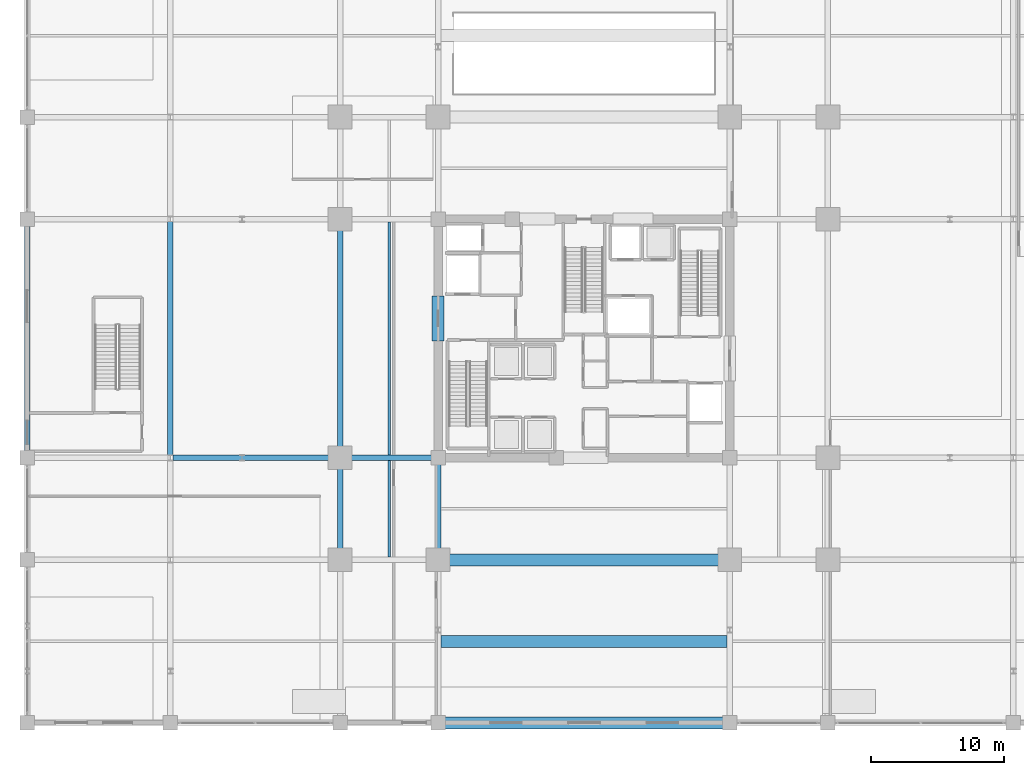
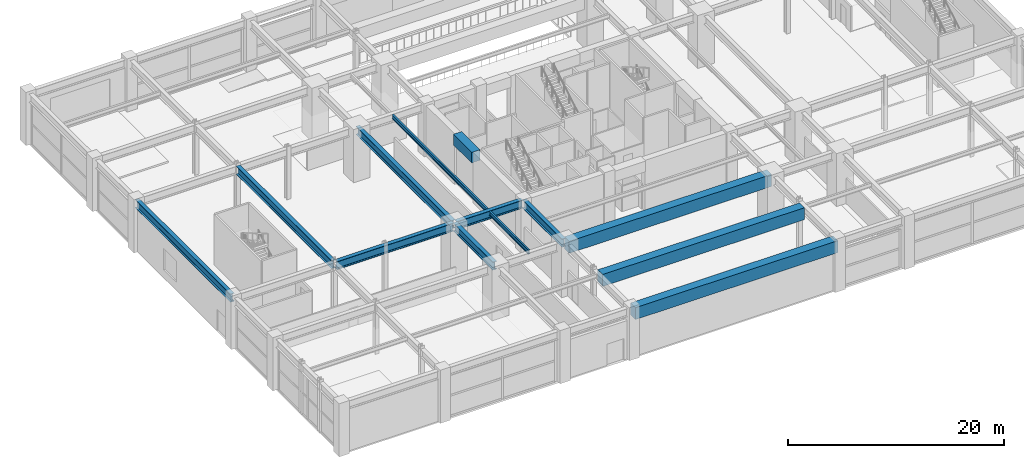
# One storey, part 10 of 41: 13 beams.
"""IFC4 building model written with IfcOpenShell, lengths in metres."""

from ifc_helpers import new_model, si_unit, direction, frame, origin, origin_2d, place, context, subcontext, project, spatial, rectangle, i_section, extrude, material, material_profile, profile_set, type_object, element, save


model = new_model("IFC4")

# Units and contexts
model_context = context("Model", 3, precision=1e-05, world=origin(), true_north=direction((0.0, 1.0)))
body_context = subcontext(model_context, "Body", "Model", "MODEL_VIEW")
ifc_project = project(units=[si_unit("LENGTHUNIT", "METRE"), si_unit("AREAUNIT", "SQUARE_METRE"), si_unit("VOLUMEUNIT", "CUBIC_METRE"), si_unit("PLANEANGLEUNIT", "RADIAN"), si_unit("MASSUNIT", "GRAM", prefix="KILO")], contexts=[model_context])

# Site, building, storey
site_placement = place(None, origin())
site = spatial("IfcSite", under=ifc_project, at=site_placement, CompositionType="ELEMENT")
building_placement = place(site_placement, origin())
building = spatial("IfcBuilding", under=site, at=building_placement, Name="Kovane Verandah Tower", CompositionType="ELEMENT")
storey_placement = place(building_placement, origin())
storey = spatial("IfcBuildingStorey", under=building, at=storey_placement, Name="L00", CompositionType="ELEMENT", Elevation=0.0)

# Beams
ifc_material_1 = material(Name="Concrete C80/95", Category="concrete")
ifc_material_profile_1 = material_profile(ifc_material_1, rectangle(XDim=0.89990234375, YDim=1.199951171875, at=origin_2d()), Name="RCB900x1200")
ifc_profile_set_1 = profile_set([ifc_material_profile_1], Name="Concrete C80/95")
beam_type_1 = type_object("IfcBeamType", Name="BM-LINTEL-900x1200", PredefinedType="LINTEL", material=ifc_profile_set_1)
beam_1_placement = place(storey_placement, frame((29.0, 27.300048828125, 5.1201171875), z_axis=(0.0, 1.0, 0.0), x_axis=(-1.0, 0.0, 0.0)))
element("IfcBeam", 1, at=beam_1_placement, inside=storey, type_object=beam_type_1, Name="L00 Core Coupling Lintel CL-W", PredefinedType="LINTEL", context=body_context, shape_type="SweptSolid", body=[
    extrude(rectangle(XDim=0.89990234375, YDim=1.199951171875, at=origin_2d()), origin(), (0.0, 0.0, 1.0), 3.39990234375),
])
ifc_material_profile_2 = material_profile(ifc_material_1, rectangle(XDim=0.89990234375, YDim=1.35009765625, at=origin_2d()), Name="RCB900x1350")
ifc_profile_set_2 = profile_set([ifc_material_profile_2], Name="Concrete C80/95")
beam_type_2 = type_object("IfcBeamType", Name="BM-TR-900x1350", PredefinedType="BEAM", material=ifc_profile_set_2)
for number, where, z_axis, x_axis, name in (
    (2, (29.179931640625, 10.800048828125, 5.044921875), (1.0, 0.0, 0.0), (0.0, 1.0, 0.0), "L00 Primary Tower Girder G-RS2"),
    (3, (29.179931640625, -1.5, 5.02490234375), (1.0, 0.0, 0.0), (0.0, 1.0, 0.0), "L00 Podium Grid Girder X04"),
):
    element("IfcBeam", number, at=place(storey_placement, frame(where, z_axis=z_axis, x_axis=x_axis)), inside=storey, type_object=beam_type_2, Name=name, PredefinedType="BEAM", context=body_context, shape_type="SweptSolid", body=[
        extrude(rectangle(XDim=0.89990234375, YDim=1.35009765625, at=origin_2d()), origin(), (0.0, 0.0, 1.0), 21.64013671875),
    ])
beam_2_placement = place(storey_placement, frame((29.208251953125, 4.64990234375, 5.02490234375), z_axis=(1.0, 0.0, 0.0), x_axis=(0.0, 1.0, 0.0)))
element("IfcBeam", 4, at=beam_2_placement, inside=storey, type_object=beam_type_2, Name="L00 Podium Secondary Joist 04", PredefinedType="BEAM", context=body_context, shape_type="SweptSolid", body=[
    extrude(rectangle(XDim=0.89990234375, YDim=1.35009765625, at=origin_2d()), origin(), (0.0, 0.0, 1.0), 21.58349609375),
])
ifc_material_2 = material(Name="Steel S460", Category="steel")
ifc_material_profile_3 = material_profile(ifc_material_2, i_section(OverallWidth=0.42041015625, OverallDepth=0.9208984375, WebThickness=0.021484375, FlangeThickness=0.03662109375, FilletRadius=0.024169921875, at=origin_2d()), Name="UB914x419x388")
ifc_profile_set_3 = profile_set([ifc_material_profile_3], Name="Steel S460")
beam_type_3 = type_object("IfcBeamType", Name="BM-UB914x388", PredefinedType="BEAM", material=ifc_profile_set_3)
beam_3_placement = place(storey_placement, frame((21.60009765625, 10.97998046875, 5.259521484375), z_axis=(0.0, 1.0, 0.0), x_axis=(-1.0, 0.0, 0.0)))
element("IfcBeam", 5, at=beam_3_placement, inside=storey, type_object=beam_type_3, Name="L00 Primary Tower Girder G-RW1", PredefinedType="BEAM", context=body_context, shape_type="SweptSolid", body=[
    extrude(i_section(OverallWidth=0.42041015625, OverallDepth=0.9208984375, WebThickness=0.021484375, FlangeThickness=0.03662109375, FilletRadius=0.024169921875, at=origin_2d()), origin(), (0.0, 0.0, 1.0), 7.340087890625),
])
beam_4_placement = place(storey_placement, frame((21.60009765625, 18.679931640625, 5.259521484375), z_axis=(0.0, 1.0, 0.0), x_axis=(-1.0, 0.0, 0.0)))
element("IfcBeam", 6, at=beam_4_placement, inside=storey, type_object=beam_type_3, Name="L00 Primary Tower Girder G-RW2", PredefinedType="BEAM", context=body_context, shape_type="SweptSolid", body=[
    extrude(i_section(OverallWidth=0.42041015625, OverallDepth=0.9208984375, WebThickness=0.021484375, FlangeThickness=0.03662109375, FilletRadius=0.024169921875, at=origin_2d()), origin(), (0.0, 0.0, 1.0), 17.64013671875),
])
beam_5_placement = place(storey_placement, frame((28.820068359375, 18.5, 5.259521484375), z_axis=(-1.0, 0.0, 0.0), x_axis=(0.0, -1.0, 0.0)))
element("IfcBeam", 7, at=beam_5_placement, inside=storey, type_object=beam_type_3, Name="L00 Primary Tower Girder G-W1", PredefinedType="BEAM", context=body_context, shape_type="SweptSolid", body=[
    extrude(i_section(OverallWidth=0.42041015625, OverallDepth=0.9208984375, WebThickness=0.021484375, FlangeThickness=0.03662109375, FilletRadius=0.024169921875, at=origin_2d()), origin(), (0.0, 0.0, 1.0), 7.0400390625),
])
beam_6_placement = place(storey_placement, frame((29.0, 18.320068359375, 5.259521484375), z_axis=(0.0, -1.0, 0.0), x_axis=(1.0, 0.0, 0.0)))
element("IfcBeam", 8, at=beam_6_placement, inside=storey, type_object=beam_type_3, Name="L00 Primary Tower Girder G-S1", PredefinedType="BEAM", context=body_context, shape_type="SweptSolid", body=[
    extrude(i_section(OverallWidth=0.42041015625, OverallDepth=0.9208984375, WebThickness=0.021484375, FlangeThickness=0.03662109375, FilletRadius=0.024169921875, at=origin_2d()), origin(), (0.0, 0.0, 1.0), 7.340087890625),
])
beam_7_placement = place(storey_placement, frame((8.97998046875, 18.5, 5.239501953125), z_axis=(1.0, 0.0, 0.0), x_axis=(0.0, 1.0, 0.0)))
element("IfcBeam", 9, at=beam_7_placement, inside=storey, type_object=beam_type_3, Name="L00 Podium Grid Girder X13", PredefinedType="BEAM", context=body_context, shape_type="SweptSolid", body=[
    extrude(i_section(OverallWidth=0.42041015625, OverallDepth=0.9208984375, WebThickness=0.021484375, FlangeThickness=0.03662109375, FilletRadius=0.024169921875, at=origin_2d()), origin(), (0.0, 0.0, 1.0), 12.43994140625),
])
for number, where, z_axis, x_axis, name in (
    (10, (-2.0, 18.679931640625, 5.239501953125), (0.0, 1.0, 0.0), (-1.0, 0.0, 0.0), "L00 Podium Grid Girder Y33"),
    (11, (8.800048828125, 18.679931640625, 5.239501953125), (0.0, 1.0, 0.0), (-1.0, 0.0, 0.0), "L00 Podium Grid Girder Y38"),
):
    element("IfcBeam", number, at=place(storey_placement, frame(where, z_axis=z_axis, x_axis=x_axis)), inside=storey, type_object=beam_type_3, Name=name, PredefinedType="BEAM", context=body_context, shape_type="SweptSolid", body=[
        extrude(i_section(OverallWidth=0.42041015625, OverallDepth=0.9208984375, WebThickness=0.021484375, FlangeThickness=0.03662109375, FilletRadius=0.024169921875, at=origin_2d()), origin(), (0.0, 0.0, 1.0), 17.64013671875),
    ])
ifc_material_3 = material(Name="Steel S355", Category="steel")
ifc_material_profile_4 = material_profile(ifc_material_3, i_section(OverallWidth=0.19287109375, OverallDepth=0.46728515625, WebThickness=0.011474609375, FlangeThickness=0.01953125, FilletRadius=0.01025390625, at=origin_2d()), Name="UB457x191x98")
ifc_profile_set_4 = profile_set([ifc_material_profile_4], Name="Steel S355")
beam_type_4 = type_object("IfcBeamType", Name="JST-UB457x98", PredefinedType="JOIST", material=ifc_profile_set_4)
beam_8_placement = place(storey_placement, frame((25.300048828125, 18.708251953125, 5.486328125), z_axis=(0.0, 1.0, 0.0), x_axis=(-1.0, 0.0, 0.0)))
element("IfcBeam", 12, at=beam_8_placement, inside=storey, type_object=beam_type_4, Name="L00 Secondary Composite Joist J-W1", PredefinedType="JOIST", context=body_context, shape_type="SweptSolid", body=[
    extrude(i_section(OverallWidth=0.19287109375, OverallDepth=0.46728515625, WebThickness=0.011474609375, FlangeThickness=0.01953125, FilletRadius=0.01025390625, at=origin_2d()), origin(), (0.0, 0.0, 1.0), 17.58349609375),
])
beam_9_placement = place(storey_placement, frame((25.300048828125, 11.00830078125, 5.486328125), z_axis=(0.0, 1.0, 0.0), x_axis=(-1.0, 0.0, 0.0)))
element("IfcBeam", 13, at=beam_9_placement, inside=storey, type_object=beam_type_4, Name="L00 Secondary Composite Joist J-SW1", PredefinedType="JOIST", context=body_context, shape_type="SweptSolid", body=[
    extrude(i_section(OverallWidth=0.19287109375, OverallDepth=0.46728515625, WebThickness=0.011474609375, FlangeThickness=0.01953125, FilletRadius=0.01025390625, at=origin_2d()), origin(), (0.0, 0.0, 1.0), 7.283447265625),
])

save(model, "model.ifc")
